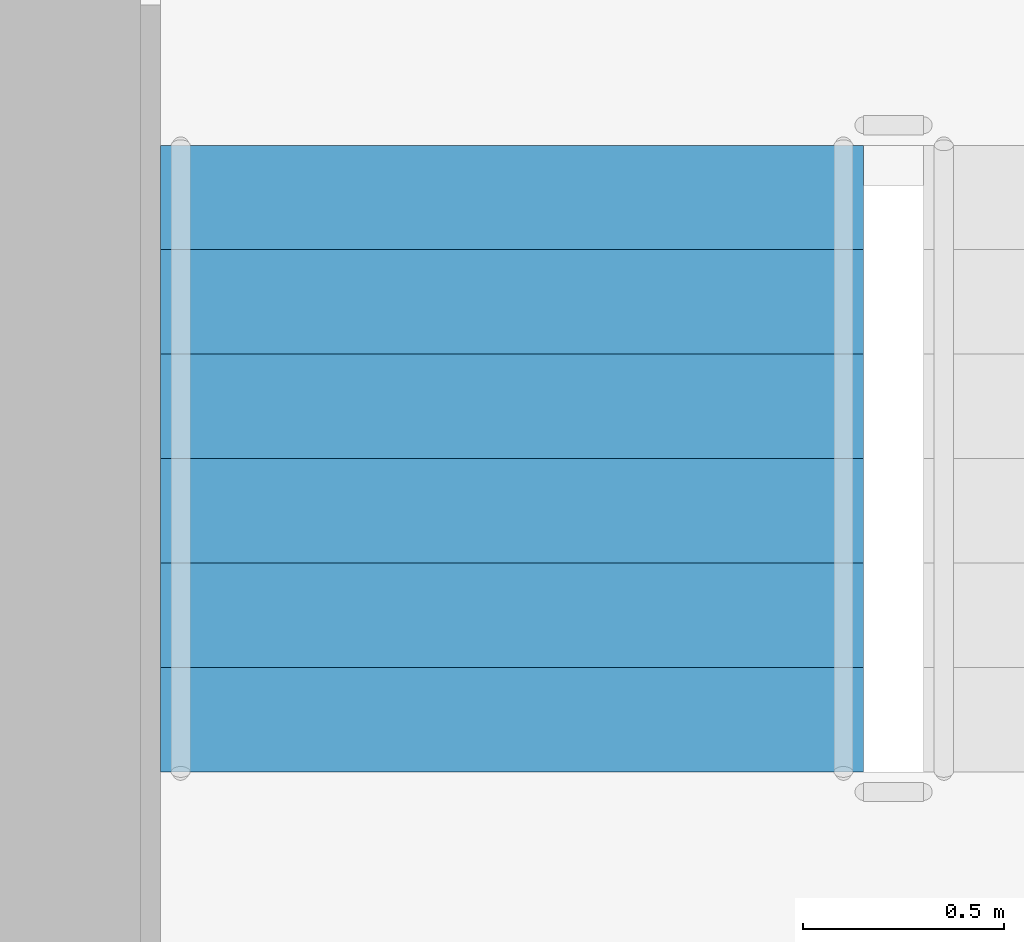
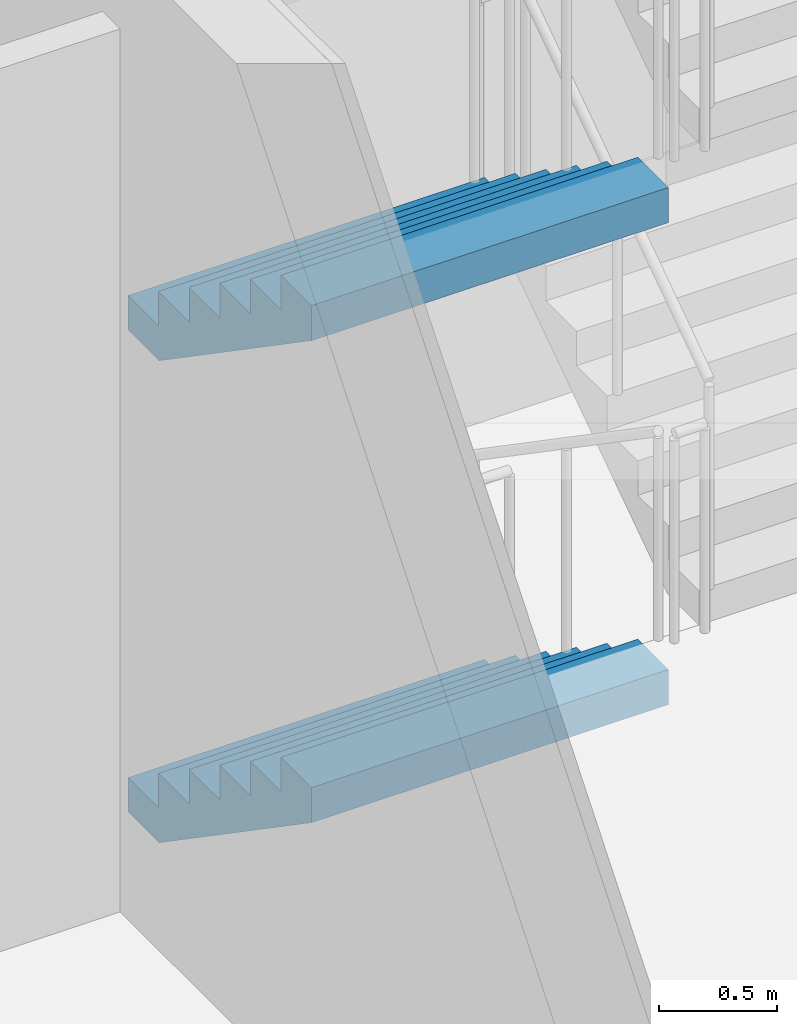
# One storey, part 22 of 34: 2 stair flights, 1 element without a shape of its own.
"""IFC4 building model written with IfcOpenShell, lengths in metres."""

from ifc_helpers import new_model, si_unit, direction, frame, origin, place, context, subcontext, project, spatial, faceted_brep, material, type_object, element, aggregate, save


model = new_model("IFC4")

# Units and contexts
model_context = context("Model", 3, precision=1e-05, world=origin(), true_north=direction((0.0, 1.0)))
body_context = subcontext(model_context, "Body", "Model", "MODEL_VIEW")
ifc_project = project(units=[si_unit("LENGTHUNIT", "METRE"), si_unit("AREAUNIT", "SQUARE_METRE"), si_unit("VOLUMEUNIT", "CUBIC_METRE"), si_unit("PLANEANGLEUNIT", "RADIAN"), si_unit("MASSUNIT", "GRAM", prefix="KILO")], contexts=[model_context])

# Site, building, storey
site_placement = place(None, origin())
site = spatial("IfcSite", under=ifc_project, at=site_placement, CompositionType="ELEMENT")
building_placement = place(site_placement, origin())
building = spatial("IfcBuilding", under=site, at=building_placement, Name="Ipe Terrace Towers", CompositionType="ELEMENT")
storey_placement = place(building_placement, frame((0.0, 0.0, 128.699951171875)))
storey = spatial("IfcBuildingStorey", under=building, at=storey_placement, Name="L35", CompositionType="ELEMENT", Elevation=128.699951171875)

# Stair, stair flights
ifc_material_1 = material(Name="Concrete C30/37", Category="concrete")
stair_type = type_object("IfcStairType", Name="Protected exit stair", PredefinedType="HALF_TURN_STAIR", material=ifc_material_1)
stair_placement = place(storey_placement, origin())
stair = element("IfcStair", 1, at=stair_placement, inside=storey, type_object=stair_type, Name="L35 Exit stair T2-C2", PredefinedType="HALF_TURN_STAIR")
ifc_material_2 = material(Name="Concrete C30/37", Category="concrete")
stair_flight_type = type_object("IfcStairFlightType", Name="Exit stair flight 1750", PredefinedType="STRAIGHT", material=ifc_material_2)
stair_flight_1_placement = place(storey_placement, frame((38.77490234375, -9.699951171875, 0.0), z_axis=(0.0, 0.0, 1.0), x_axis=(0.0, -1.0, 0.0)))
stair_flight_1 = element("IfcStairFlight", 2, at=stair_flight_1_placement, type_object=stair_flight_type, Name="T2-ST2 flight 1", NumberOfRisers=7, NumberOfTreads=6, PredefinedType="STRAIGHT", RiserHeight=0.178571429, TreadLength=0.26, context=body_context, shape_type="Brep", body=[
    faceted_brep([(0.264892578125, -0.875, 0.0), (1.56005859375, -0.875, 0.8896484375), (1.56005859375, -0.875, 1.071533203125), (1.300048828125, -0.875, 1.071533203125), (1.300048828125, -0.875, 0.892822265625), (1.0400390625, -0.875, 0.892822265625), (1.0400390625, -0.875, 0.71435546875), (0.780029296875, -0.875, 0.71435546875), (0.780029296875, -0.875, 0.53564453125), (0.52001953125, -0.875, 0.53564453125), (0.52001953125, -0.875, 0.357177734375), (0.260009765625, -0.875, 0.357177734375), (0.260009765625, -0.875, 0.178466796875), (0.0, -0.875, 0.178466796875), (0.0, -0.875, 0.0), (0.0, 0.875, 0.0), (0.0, 0.875, 0.178466796875), (0.260009765625, 0.875, 0.178466796875), (0.260009765625, 0.875, 0.357177734375), (0.52001953125, 0.875, 0.357177734375), (0.52001953125, 0.875, 0.53564453125), (0.780029296875, 0.875, 0.53564453125), (0.780029296875, 0.875, 0.71435546875), (1.0400390625, 0.875, 0.71435546875), (1.0400390625, 0.875, 0.892822265625), (1.300048828125, 0.875, 0.892822265625), (1.300048828125, 0.875, 1.071533203125), (1.56005859375, 0.875, 1.071533203125), (1.56005859375, 0.875, 0.8896484375), (0.264892578125, 0.875, 0.0), (0.0, -0.300048828125, 0.178466796875), (0.0, -0.1201171875, 0.178466796875), (0.0, -0.06005859375, 0.178466796875), (0.0, -0.030029296875, 0.178466796875), (0.0, -0.010009765625, 0.178466796875), (0.0, 0.0, 0.178466796875), (0.0, 0.010009765625, 0.178466796875), (0.0, 0.030029296875, 0.178466796875), (0.0, 0.06005859375, 0.178466796875), (0.0, 0.1201171875, 0.178466796875), (0.0, 0.300048828125, 0.178466796875), (0.0, 0.300048828125, 0.0), (0.0, 0.1201171875, 0.0), (0.0, 0.06005859375, 0.0), (0.0, 0.030029296875, 0.0), (0.0, 0.010009765625, 0.0), (0.0, 0.0, 0.0), (0.0, -0.010009765625, 0.0), (0.0, -0.030029296875, 0.0), (0.0, -0.06005859375, 0.0), (0.0, -0.1201171875, 0.0), (0.0, -0.300048828125, 0.0), (0.260009765625, -0.300048828125, 0.178466796875), (0.260009765625, -0.1201171875, 0.178466796875), (0.260009765625, -0.06005859375, 0.178466796875), (0.260009765625, -0.030029296875, 0.178466796875), (0.260009765625, -0.010009765625, 0.178466796875), (0.260009765625, 0.0, 0.178466796875), (0.260009765625, 0.010009765625, 0.178466796875), (0.260009765625, 0.030029296875, 0.178466796875), (0.260009765625, 0.06005859375, 0.178466796875), (0.260009765625, 0.1201171875, 0.178466796875), (0.260009765625, 0.300048828125, 0.178466796875), (0.260009765625, -0.300048828125, 0.357177734375), (0.260009765625, -0.1201171875, 0.357177734375), (0.260009765625, -0.06005859375, 0.357177734375), (0.260009765625, -0.030029296875, 0.357177734375), (0.260009765625, -0.010009765625, 0.357177734375), (0.260009765625, 0.0, 0.357177734375), (0.260009765625, 0.010009765625, 0.357177734375), (0.260009765625, 0.030029296875, 0.357177734375), (0.260009765625, 0.06005859375, 0.357177734375), (0.260009765625, 0.1201171875, 0.357177734375), (0.260009765625, 0.300048828125, 0.357177734375), (0.52001953125, -0.300048828125, 0.357177734375), (0.52001953125, -0.1201171875, 0.357177734375), (0.52001953125, -0.06005859375, 0.357177734375), (0.52001953125, -0.030029296875, 0.357177734375), (0.52001953125, -0.010009765625, 0.357177734375), (0.52001953125, 0.0, 0.357177734375), (0.52001953125, 0.010009765625, 0.357177734375), (0.52001953125, 0.030029296875, 0.357177734375), (0.52001953125, 0.06005859375, 0.357177734375), (0.52001953125, 0.1201171875, 0.357177734375), (0.52001953125, 0.300048828125, 0.357177734375), (0.52001953125, -0.300048828125, 0.53564453125), (0.52001953125, -0.1201171875, 0.53564453125), (0.52001953125, -0.06005859375, 0.53564453125), (0.52001953125, -0.030029296875, 0.53564453125), (0.52001953125, -0.010009765625, 0.53564453125), (0.52001953125, 0.0, 0.53564453125), (0.52001953125, 0.010009765625, 0.53564453125), (0.52001953125, 0.030029296875, 0.53564453125), (0.52001953125, 0.06005859375, 0.53564453125), (0.52001953125, 0.1201171875, 0.53564453125), (0.52001953125, 0.300048828125, 0.53564453125), (0.780029296875, -0.300048828125, 0.53564453125), (0.780029296875, -0.1201171875, 0.53564453125), (0.780029296875, -0.06005859375, 0.53564453125), (0.780029296875, -0.030029296875, 0.53564453125), (0.780029296875, -0.010009765625, 0.53564453125), (0.780029296875, 0.0, 0.53564453125), (0.780029296875, 0.010009765625, 0.53564453125), (0.780029296875, 0.030029296875, 0.53564453125), (0.780029296875, 0.06005859375, 0.53564453125), (0.780029296875, 0.1201171875, 0.53564453125), (0.780029296875, 0.300048828125, 0.53564453125), (0.780029296875, -0.300048828125, 0.71435546875), (0.780029296875, -0.1201171875, 0.71435546875), (0.780029296875, -0.06005859375, 0.71435546875), (0.780029296875, -0.030029296875, 0.71435546875), (0.780029296875, -0.010009765625, 0.71435546875), (0.780029296875, 0.0, 0.71435546875), (0.780029296875, 0.010009765625, 0.71435546875), (0.780029296875, 0.030029296875, 0.71435546875), (0.780029296875, 0.06005859375, 0.71435546875), (0.780029296875, 0.1201171875, 0.71435546875), (0.780029296875, 0.300048828125, 0.71435546875), (1.0400390625, -0.300048828125, 0.71435546875), (1.0400390625, -0.1201171875, 0.71435546875), (1.0400390625, -0.06005859375, 0.71435546875), (1.0400390625, -0.030029296875, 0.71435546875), (1.0400390625, -0.010009765625, 0.71435546875), (1.0400390625, 0.0, 0.71435546875), (1.0400390625, 0.010009765625, 0.71435546875), (1.0400390625, 0.030029296875, 0.71435546875), (1.0400390625, 0.06005859375, 0.71435546875), (1.0400390625, 0.1201171875, 0.71435546875), (1.0400390625, 0.300048828125, 0.71435546875), (1.0400390625, -0.300048828125, 0.892822265625), (1.0400390625, -0.1201171875, 0.892822265625), (1.0400390625, -0.06005859375, 0.892822265625), (1.0400390625, -0.030029296875, 0.892822265625), (1.0400390625, -0.010009765625, 0.892822265625), (1.0400390625, 0.0, 0.892822265625), (1.0400390625, 0.010009765625, 0.892822265625), (1.0400390625, 0.030029296875, 0.892822265625), (1.0400390625, 0.06005859375, 0.892822265625), (1.0400390625, 0.1201171875, 0.892822265625), (1.0400390625, 0.300048828125, 0.892822265625), (1.300048828125, -0.300048828125, 0.892822265625), (1.300048828125, -0.1201171875, 0.892822265625), (1.300048828125, -0.06005859375, 0.892822265625), (1.300048828125, -0.030029296875, 0.892822265625), (1.300048828125, -0.010009765625, 0.892822265625), (1.300048828125, 0.0, 0.892822265625), (1.300048828125, 0.010009765625, 0.892822265625), (1.300048828125, 0.030029296875, 0.892822265625), (1.300048828125, 0.06005859375, 0.892822265625), (1.300048828125, 0.1201171875, 0.892822265625), (1.300048828125, 0.300048828125, 0.892822265625), (1.300048828125, -0.300048828125, 1.071533203125), (1.300048828125, -0.1201171875, 1.071533203125), (1.300048828125, -0.06005859375, 1.071533203125), (1.300048828125, -0.030029296875, 1.071533203125), (1.300048828125, -0.010009765625, 1.071533203125), (1.300048828125, 0.0, 1.071533203125), (1.300048828125, 0.010009765625, 1.071533203125), (1.300048828125, 0.030029296875, 1.071533203125), (1.300048828125, 0.06005859375, 1.071533203125), (1.300048828125, 0.1201171875, 1.071533203125), (1.300048828125, 0.300048828125, 1.071533203125), (1.56005859375, -0.300048828125, 1.071533203125), (1.56005859375, -0.1201171875, 1.071533203125), (1.56005859375, -0.06005859375, 1.071533203125), (1.56005859375, -0.030029296875, 1.071533203125), (1.56005859375, -0.010009765625, 1.071533203125), (1.56005859375, 0.0, 1.071533203125), (1.56005859375, 0.010009765625, 1.071533203125), (1.56005859375, 0.030029296875, 1.071533203125), (1.56005859375, 0.06005859375, 1.071533203125), (1.56005859375, 0.1201171875, 1.071533203125), (1.56005859375, 0.300048828125, 1.071533203125), (1.56005859375, -0.300048828125, 0.8896484375), (1.56005859375, -0.1201171875, 0.8896484375), (1.56005859375, -0.06005859375, 0.8896484375), (1.56005859375, -0.030029296875, 0.8896484375), (1.56005859375, -0.010009765625, 0.8896484375), (1.56005859375, 0.0, 0.8896484375), (1.56005859375, 0.010009765625, 0.8896484375), (1.56005859375, 0.030029296875, 0.8896484375), (1.56005859375, 0.06005859375, 0.8896484375), (1.56005859375, 0.1201171875, 0.8896484375), (1.56005859375, 0.300048828125, 0.8896484375), (0.264892578125, -0.300048828125, 0.0), (0.264892578125, -0.1201171875, 0.0), (0.264892578125, -0.06005859375, 0.0), (0.264892578125, -0.030029296875, 0.0), (0.264892578125, -0.010009765625, 0.0), (0.264892578125, 0.0, 0.0), (0.264892578125, 0.010009765625, 0.0), (0.264892578125, 0.030029296875, 0.0), (0.264892578125, 0.06005859375, 0.0), (0.264892578125, 0.1201171875, 0.0), (0.264892578125, 0.300048828125, 0.0)], [[[0, 1, 2, 3, 4, 5, 6, 7, 8, 9, 10, 11, 12, 13, 14]], [[15, 16, 17, 18, 19, 20, 21, 22, 23, 24, 25, 26, 27, 28, 29]], [[13, 30, 31, 32, 33, 34, 35, 36, 37, 38, 39, 40, 16, 15, 41, 42, 43, 44, 45, 46, 47, 48, 49, 50, 51, 14]], [[12, 52, 53, 54, 55, 56, 57, 58, 59, 60, 61, 62, 17, 16, 40, 39, 38, 37, 36, 35, 34, 33, 32, 31, 30, 13]], [[11, 63, 64, 65, 66, 67, 68, 69, 70, 71, 72, 73, 18, 17, 62, 61, 60, 59, 58, 57, 56, 55, 54, 53, 52, 12]], [[10, 74, 75, 76, 77, 78, 79, 80, 81, 82, 83, 84, 19, 18, 73, 72, 71, 70, 69, 68, 67, 66, 65, 64, 63, 11]], [[9, 85, 86, 87, 88, 89, 90, 91, 92, 93, 94, 95, 20, 19, 84, 83, 82, 81, 80, 79, 78, 77, 76, 75, 74, 10]], [[8, 96, 97, 98, 99, 100, 101, 102, 103, 104, 105, 106, 21, 20, 95, 94, 93, 92, 91, 90, 89, 88, 87, 86, 85, 9]], [[7, 107, 108, 109, 110, 111, 112, 113, 114, 115, 116, 117, 22, 21, 106, 105, 104, 103, 102, 101, 100, 99, 98, 97, 96, 8]], [[6, 118, 119, 120, 121, 122, 123, 124, 125, 126, 127, 128, 23, 22, 117, 116, 115, 114, 113, 112, 111, 110, 109, 108, 107, 7]], [[5, 129, 130, 131, 132, 133, 134, 135, 136, 137, 138, 139, 24, 23, 128, 127, 126, 125, 124, 123, 122, 121, 120, 119, 118, 6]], [[4, 140, 141, 142, 143, 144, 145, 146, 147, 148, 149, 150, 25, 24, 139, 138, 137, 136, 135, 134, 133, 132, 131, 130, 129, 5]], [[3, 151, 152, 153, 154, 155, 156, 157, 158, 159, 160, 161, 26, 25, 150, 149, 148, 147, 146, 145, 144, 143, 142, 141, 140, 4]], [[2, 162, 163, 164, 165, 166, 167, 168, 169, 170, 171, 172, 27, 26, 161, 160, 159, 158, 157, 156, 155, 154, 153, 152, 151, 3]], [[1, 173, 174, 175, 176, 177, 178, 179, 180, 181, 182, 183, 28, 27, 172, 171, 170, 169, 168, 167, 166, 165, 164, 163, 162, 2]], [[0, 184, 185, 186, 187, 188, 189, 190, 191, 192, 193, 194, 29, 28, 183, 182, 181, 180, 179, 178, 177, 176, 175, 174, 173, 1]], [[14, 51, 50, 49, 48, 47, 46, 45, 44, 43, 42, 41, 15, 29, 194, 193, 192, 191, 190, 189, 188, 187, 186, 185, 184, 0]]]),
])
stair_flight_2_placement = place(storey_placement, frame((38.77490234375, -9.699951171875, 2.5), z_axis=(0.0, 0.0, 1.0), x_axis=(0.0, -1.0, 0.0)))
stair_flight_2 = element("IfcStairFlight", 3, at=stair_flight_2_placement, type_object=stair_flight_type, Name="T2-ST2 flight 3", NumberOfRisers=7, NumberOfTreads=6, PredefinedType="STRAIGHT", RiserHeight=0.178571429, TreadLength=0.26, context=body_context, shape_type="Brep", body=[
    faceted_brep([(0.264892578125, -0.875, 0.0), (1.56005859375, -0.875, 0.8896484375), (1.56005859375, -0.875, 1.071533203125), (1.300048828125, -0.875, 1.071533203125), (1.300048828125, -0.875, 0.892822265625), (1.0400390625, -0.875, 0.892822265625), (1.0400390625, -0.875, 0.71435546875), (0.780029296875, -0.875, 0.71435546875), (0.780029296875, -0.875, 0.53564453125), (0.52001953125, -0.875, 0.53564453125), (0.52001953125, -0.875, 0.357177734375), (0.260009765625, -0.875, 0.357177734375), (0.260009765625, -0.875, 0.178466796875), (0.0, -0.875, 0.178466796875), (0.0, -0.875, 0.0), (0.0, 0.875, 0.0), (0.0, 0.875, 0.178466796875), (0.260009765625, 0.875, 0.178466796875), (0.260009765625, 0.875, 0.357177734375), (0.52001953125, 0.875, 0.357177734375), (0.52001953125, 0.875, 0.53564453125), (0.780029296875, 0.875, 0.53564453125), (0.780029296875, 0.875, 0.71435546875), (1.0400390625, 0.875, 0.71435546875), (1.0400390625, 0.875, 0.892822265625), (1.300048828125, 0.875, 0.892822265625), (1.300048828125, 0.875, 1.071533203125), (1.56005859375, 0.875, 1.071533203125), (1.56005859375, 0.875, 0.8896484375), (0.264892578125, 0.875, 0.0), (0.0, -0.300048828125, 0.178466796875), (0.0, -0.1201171875, 0.178466796875), (0.0, -0.06005859375, 0.178466796875), (0.0, -0.030029296875, 0.178466796875), (0.0, -0.010009765625, 0.178466796875), (0.0, 0.0, 0.178466796875), (0.0, 0.010009765625, 0.178466796875), (0.0, 0.030029296875, 0.178466796875), (0.0, 0.06005859375, 0.178466796875), (0.0, 0.1201171875, 0.178466796875), (0.0, 0.300048828125, 0.178466796875), (0.0, 0.300048828125, 0.0), (0.0, 0.1201171875, 0.0), (0.0, 0.06005859375, 0.0), (0.0, 0.030029296875, 0.0), (0.0, 0.010009765625, 0.0), (0.0, 0.0, 0.0), (0.0, -0.010009765625, 0.0), (0.0, -0.030029296875, 0.0), (0.0, -0.06005859375, 0.0), (0.0, -0.1201171875, 0.0), (0.0, -0.300048828125, 0.0), (0.260009765625, -0.300048828125, 0.178466796875), (0.260009765625, -0.1201171875, 0.178466796875), (0.260009765625, -0.06005859375, 0.178466796875), (0.260009765625, -0.030029296875, 0.178466796875), (0.260009765625, -0.010009765625, 0.178466796875), (0.260009765625, 0.0, 0.178466796875), (0.260009765625, 0.010009765625, 0.178466796875), (0.260009765625, 0.030029296875, 0.178466796875), (0.260009765625, 0.06005859375, 0.178466796875), (0.260009765625, 0.1201171875, 0.178466796875), (0.260009765625, 0.300048828125, 0.178466796875), (0.260009765625, -0.300048828125, 0.357177734375), (0.260009765625, -0.1201171875, 0.357177734375), (0.260009765625, -0.06005859375, 0.357177734375), (0.260009765625, -0.030029296875, 0.357177734375), (0.260009765625, -0.010009765625, 0.357177734375), (0.260009765625, 0.0, 0.357177734375), (0.260009765625, 0.010009765625, 0.357177734375), (0.260009765625, 0.030029296875, 0.357177734375), (0.260009765625, 0.06005859375, 0.357177734375), (0.260009765625, 0.1201171875, 0.357177734375), (0.260009765625, 0.300048828125, 0.357177734375), (0.52001953125, -0.300048828125, 0.357177734375), (0.52001953125, -0.1201171875, 0.357177734375), (0.52001953125, -0.06005859375, 0.357177734375), (0.52001953125, -0.030029296875, 0.357177734375), (0.52001953125, -0.010009765625, 0.357177734375), (0.52001953125, 0.0, 0.357177734375), (0.52001953125, 0.010009765625, 0.357177734375), (0.52001953125, 0.030029296875, 0.357177734375), (0.52001953125, 0.06005859375, 0.357177734375), (0.52001953125, 0.1201171875, 0.357177734375), (0.52001953125, 0.300048828125, 0.357177734375), (0.52001953125, -0.300048828125, 0.53564453125), (0.52001953125, -0.1201171875, 0.53564453125), (0.52001953125, -0.06005859375, 0.53564453125), (0.52001953125, -0.030029296875, 0.53564453125), (0.52001953125, -0.010009765625, 0.53564453125), (0.52001953125, 0.0, 0.53564453125), (0.52001953125, 0.010009765625, 0.53564453125), (0.52001953125, 0.030029296875, 0.53564453125), (0.52001953125, 0.06005859375, 0.53564453125), (0.52001953125, 0.1201171875, 0.53564453125), (0.52001953125, 0.300048828125, 0.53564453125), (0.780029296875, -0.300048828125, 0.53564453125), (0.780029296875, -0.1201171875, 0.53564453125), (0.780029296875, -0.06005859375, 0.53564453125), (0.780029296875, -0.030029296875, 0.53564453125), (0.780029296875, -0.010009765625, 0.53564453125), (0.780029296875, 0.0, 0.53564453125), (0.780029296875, 0.010009765625, 0.53564453125), (0.780029296875, 0.030029296875, 0.53564453125), (0.780029296875, 0.06005859375, 0.53564453125), (0.780029296875, 0.1201171875, 0.53564453125), (0.780029296875, 0.300048828125, 0.53564453125), (0.780029296875, -0.300048828125, 0.71435546875), (0.780029296875, -0.1201171875, 0.71435546875), (0.780029296875, -0.06005859375, 0.71435546875), (0.780029296875, -0.030029296875, 0.71435546875), (0.780029296875, -0.010009765625, 0.71435546875), (0.780029296875, 0.0, 0.71435546875), (0.780029296875, 0.010009765625, 0.71435546875), (0.780029296875, 0.030029296875, 0.71435546875), (0.780029296875, 0.06005859375, 0.71435546875), (0.780029296875, 0.1201171875, 0.71435546875), (0.780029296875, 0.300048828125, 0.71435546875), (1.0400390625, -0.300048828125, 0.71435546875), (1.0400390625, -0.1201171875, 0.71435546875), (1.0400390625, -0.06005859375, 0.71435546875), (1.0400390625, -0.030029296875, 0.71435546875), (1.0400390625, -0.010009765625, 0.71435546875), (1.0400390625, 0.0, 0.71435546875), (1.0400390625, 0.010009765625, 0.71435546875), (1.0400390625, 0.030029296875, 0.71435546875), (1.0400390625, 0.06005859375, 0.71435546875), (1.0400390625, 0.1201171875, 0.71435546875), (1.0400390625, 0.300048828125, 0.71435546875), (1.0400390625, -0.300048828125, 0.892822265625), (1.0400390625, -0.1201171875, 0.892822265625), (1.0400390625, -0.06005859375, 0.892822265625), (1.0400390625, -0.030029296875, 0.892822265625), (1.0400390625, -0.010009765625, 0.892822265625), (1.0400390625, 0.0, 0.892822265625), (1.0400390625, 0.010009765625, 0.892822265625), (1.0400390625, 0.030029296875, 0.892822265625), (1.0400390625, 0.06005859375, 0.892822265625), (1.0400390625, 0.1201171875, 0.892822265625), (1.0400390625, 0.300048828125, 0.892822265625), (1.300048828125, -0.300048828125, 0.892822265625), (1.300048828125, -0.1201171875, 0.892822265625), (1.300048828125, -0.06005859375, 0.892822265625), (1.300048828125, -0.030029296875, 0.892822265625), (1.300048828125, -0.010009765625, 0.892822265625), (1.300048828125, 0.0, 0.892822265625), (1.300048828125, 0.010009765625, 0.892822265625), (1.300048828125, 0.030029296875, 0.892822265625), (1.300048828125, 0.06005859375, 0.892822265625), (1.300048828125, 0.1201171875, 0.892822265625), (1.300048828125, 0.300048828125, 0.892822265625), (1.300048828125, -0.300048828125, 1.071533203125), (1.300048828125, -0.1201171875, 1.071533203125), (1.300048828125, -0.06005859375, 1.071533203125), (1.300048828125, -0.030029296875, 1.071533203125), (1.300048828125, -0.010009765625, 1.071533203125), (1.300048828125, 0.0, 1.071533203125), (1.300048828125, 0.010009765625, 1.071533203125), (1.300048828125, 0.030029296875, 1.071533203125), (1.300048828125, 0.06005859375, 1.071533203125), (1.300048828125, 0.1201171875, 1.071533203125), (1.300048828125, 0.300048828125, 1.071533203125), (1.56005859375, -0.300048828125, 1.071533203125), (1.56005859375, -0.1201171875, 1.071533203125), (1.56005859375, -0.06005859375, 1.071533203125), (1.56005859375, -0.030029296875, 1.071533203125), (1.56005859375, -0.010009765625, 1.071533203125), (1.56005859375, 0.0, 1.071533203125), (1.56005859375, 0.010009765625, 1.071533203125), (1.56005859375, 0.030029296875, 1.071533203125), (1.56005859375, 0.06005859375, 1.071533203125), (1.56005859375, 0.1201171875, 1.071533203125), (1.56005859375, 0.300048828125, 1.071533203125), (1.56005859375, -0.300048828125, 0.8896484375), (1.56005859375, -0.1201171875, 0.8896484375), (1.56005859375, -0.06005859375, 0.8896484375), (1.56005859375, -0.030029296875, 0.8896484375), (1.56005859375, -0.010009765625, 0.8896484375), (1.56005859375, 0.0, 0.8896484375), (1.56005859375, 0.010009765625, 0.8896484375), (1.56005859375, 0.030029296875, 0.8896484375), (1.56005859375, 0.06005859375, 0.8896484375), (1.56005859375, 0.1201171875, 0.8896484375), (1.56005859375, 0.300048828125, 0.8896484375), (0.264892578125, -0.300048828125, 0.0), (0.264892578125, -0.1201171875, 0.0), (0.264892578125, -0.06005859375, 0.0), (0.264892578125, -0.030029296875, 0.0), (0.264892578125, -0.010009765625, 0.0), (0.264892578125, 0.0, 0.0), (0.264892578125, 0.010009765625, 0.0), (0.264892578125, 0.030029296875, 0.0), (0.264892578125, 0.06005859375, 0.0), (0.264892578125, 0.1201171875, 0.0), (0.264892578125, 0.300048828125, 0.0)], [[[0, 1, 2, 3, 4, 5, 6, 7, 8, 9, 10, 11, 12, 13, 14]], [[15, 16, 17, 18, 19, 20, 21, 22, 23, 24, 25, 26, 27, 28, 29]], [[13, 30, 31, 32, 33, 34, 35, 36, 37, 38, 39, 40, 16, 15, 41, 42, 43, 44, 45, 46, 47, 48, 49, 50, 51, 14]], [[12, 52, 53, 54, 55, 56, 57, 58, 59, 60, 61, 62, 17, 16, 40, 39, 38, 37, 36, 35, 34, 33, 32, 31, 30, 13]], [[11, 63, 64, 65, 66, 67, 68, 69, 70, 71, 72, 73, 18, 17, 62, 61, 60, 59, 58, 57, 56, 55, 54, 53, 52, 12]], [[10, 74, 75, 76, 77, 78, 79, 80, 81, 82, 83, 84, 19, 18, 73, 72, 71, 70, 69, 68, 67, 66, 65, 64, 63, 11]], [[9, 85, 86, 87, 88, 89, 90, 91, 92, 93, 94, 95, 20, 19, 84, 83, 82, 81, 80, 79, 78, 77, 76, 75, 74, 10]], [[8, 96, 97, 98, 99, 100, 101, 102, 103, 104, 105, 106, 21, 20, 95, 94, 93, 92, 91, 90, 89, 88, 87, 86, 85, 9]], [[7, 107, 108, 109, 110, 111, 112, 113, 114, 115, 116, 117, 22, 21, 106, 105, 104, 103, 102, 101, 100, 99, 98, 97, 96, 8]], [[6, 118, 119, 120, 121, 122, 123, 124, 125, 126, 127, 128, 23, 22, 117, 116, 115, 114, 113, 112, 111, 110, 109, 108, 107, 7]], [[5, 129, 130, 131, 132, 133, 134, 135, 136, 137, 138, 139, 24, 23, 128, 127, 126, 125, 124, 123, 122, 121, 120, 119, 118, 6]], [[4, 140, 141, 142, 143, 144, 145, 146, 147, 148, 149, 150, 25, 24, 139, 138, 137, 136, 135, 134, 133, 132, 131, 130, 129, 5]], [[3, 151, 152, 153, 154, 155, 156, 157, 158, 159, 160, 161, 26, 25, 150, 149, 148, 147, 146, 145, 144, 143, 142, 141, 140, 4]], [[2, 162, 163, 164, 165, 166, 167, 168, 169, 170, 171, 172, 27, 26, 161, 160, 159, 158, 157, 156, 155, 154, 153, 152, 151, 3]], [[1, 173, 174, 175, 176, 177, 178, 179, 180, 181, 182, 183, 28, 27, 172, 171, 170, 169, 168, 167, 166, 165, 164, 163, 162, 2]], [[0, 184, 185, 186, 187, 188, 189, 190, 191, 192, 193, 194, 29, 28, 183, 182, 181, 180, 179, 178, 177, 176, 175, 174, 173, 1]], [[14, 51, 50, 49, 48, 47, 46, 45, 44, 43, 42, 41, 15, 29, 194, 193, 192, 191, 190, 189, 188, 187, 186, 185, 184, 0]]]),
])
aggregate(stair, [stair_flight_1, stair_flight_2])

save(model, "model.ifc")
